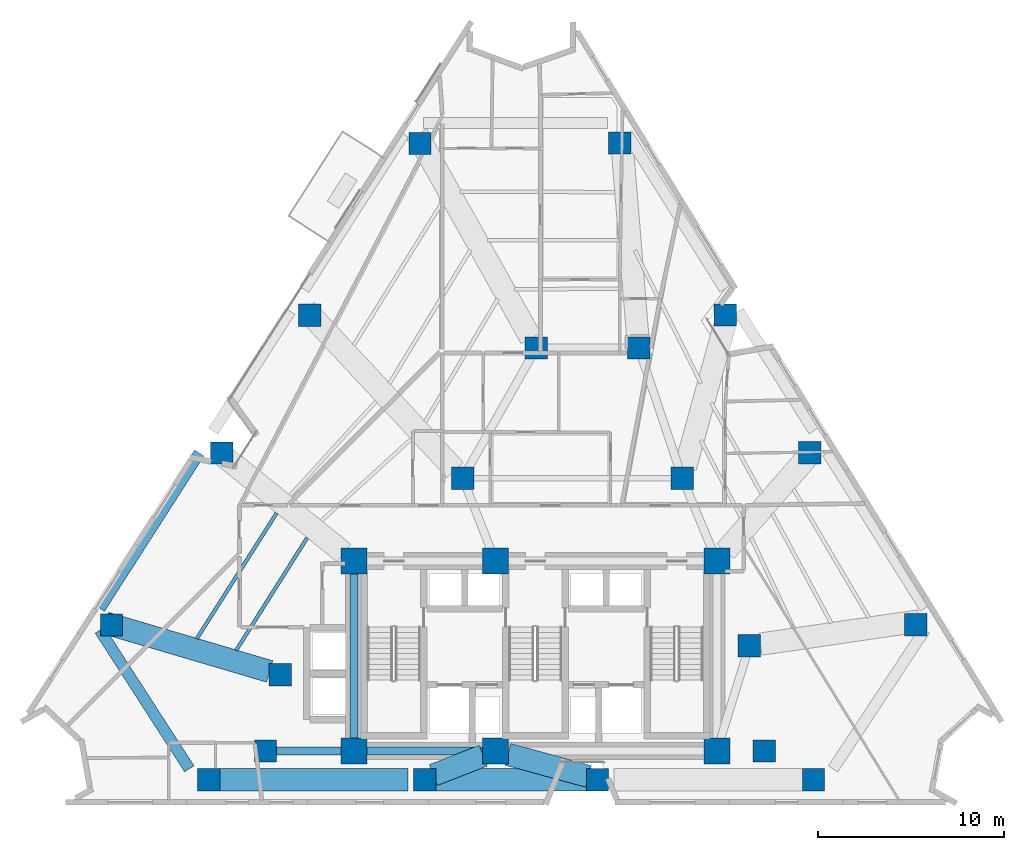
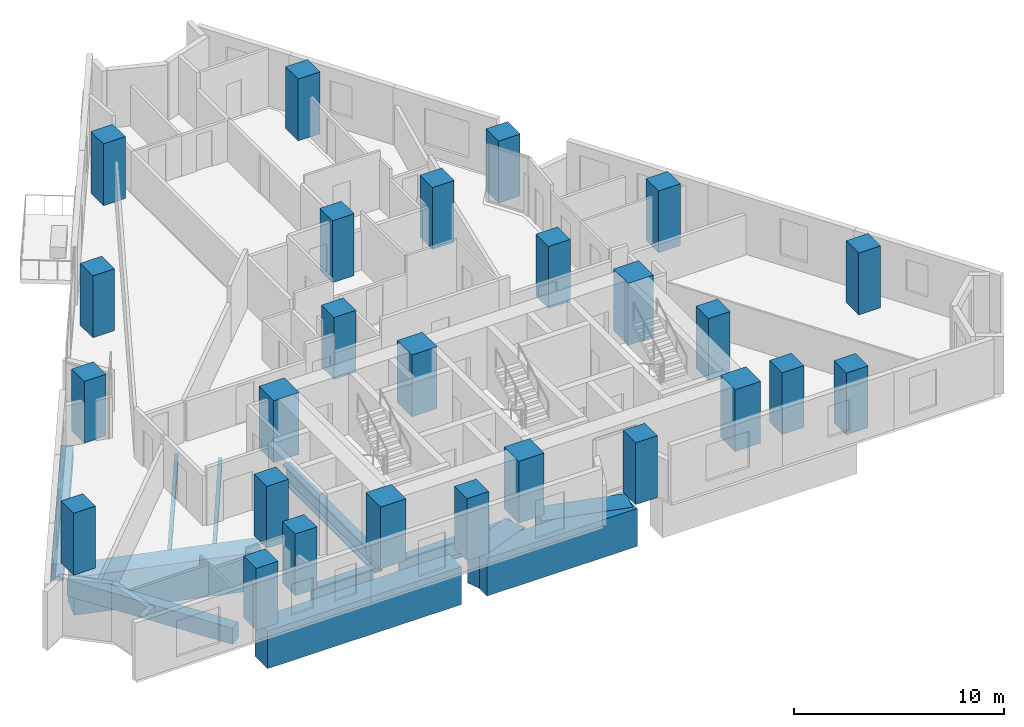
# One storey, part 1 of 13: 26 columns, 12 beams.
"""IFC4 building model written with IfcOpenShell, lengths in metres."""

from ifc_helpers import new_model, si_unit, direction, frame, origin, origin_2d, place, context, subcontext, project, spatial, rectangle, i_section, extrude, material, material_profile, profile_set, type_object, element, save


model = new_model("IFC4")

# Units and contexts
model_context = context("Model", 3, precision=1e-05, world=origin(), true_north=direction((0.0, 1.0)))
body_context = subcontext(model_context, "Body", "Model", "MODEL_VIEW")
ifc_project = project(units=[si_unit("LENGTHUNIT", "METRE"), si_unit("AREAUNIT", "SQUARE_METRE"), si_unit("VOLUMEUNIT", "CUBIC_METRE"), si_unit("PLANEANGLEUNIT", "RADIAN"), si_unit("MASSUNIT", "GRAM", prefix="KILO")], contexts=[model_context])

# Site, building, storey
site_placement = place(None, origin())
site = spatial("IfcSite", under=ifc_project, at=site_placement, CompositionType="ELEMENT")
building_placement = place(site_placement, origin())
building = spatial("IfcBuilding", under=site, at=building_placement, Name="Almagre Mirador Tower", CompositionType="ELEMENT")
storey_placement = place(building_placement, frame((0.0, 0.0, 75.0)))
storey = spatial("IfcBuildingStorey", under=building, at=storey_placement, Name="L18", CompositionType="ELEMENT", Elevation=75.0)

# Columns
ifc_material_1 = material(Name="Concrete C60/75", Category="concrete")
ifc_material_profile_1 = material_profile(ifc_material_1, rectangle(XDim=1.199951171875, YDim=1.199951171875, at=origin_2d()), Name="RC1200X1200")
ifc_profile_set_1 = profile_set([ifc_material_profile_1], Name="Concrete C60/75")
column_type_1 = type_object("IfcColumnType", Name="COL-RC1200", PredefinedType="COLUMN", material=ifc_profile_set_1)
for number, where, z_axis, x_axis, name in (
    (1, (22.800048828125, 4.550048828125, 0.0), (0.0, 0.0, 1.0), (1.0, 0.0, 0.0), "L18 interior transfer column MC1"),
    (2, (49.60009765625, 4.550048828125, 0.0), (0.0, 0.0, 1.0), (1.0, 0.0, 0.0), "L18 interior transfer column MC2"),
    (3, (48.800048828125, 10.199951171875, 0.0), (0.0, 0.0, 1.0), (1.0, 0.0, 0.0), "L18 interior transfer column MC3"),
    (4, (45.199951171875, 19.199951171875, 0.0), (0.0, 0.0, 1.0), (1.0, 0.0, 0.0), "L18 interior transfer column MC5"),
    (5, (42.85009765625, 26.199951171875, 0.0), (0.0, 0.0, 1.0), (1.0, 0.0, 0.0), "L18 interior transfer column MC6"),
    (6, (37.35009765625, 26.199951171875, 0.0), (0.0, 0.0, 1.0), (1.0, 0.0, 0.0), "L18 interior transfer column MC7"),
    (7, (33.39990234375, 19.199951171875, 0.0), (0.0, 0.0, 1.0), (1.0, 0.0, 0.0), "L18 interior transfer column MC8"),
    (8, (23.60009765625, 8.64990234375, 0.0), (0.0, 0.0, 1.0), (1.0, 0.0, 0.0), "L18 interior transfer column MC10"),
    (9, (19.760009765625, 3.0, 0.0), (0.0, 0.0, 1.0), (1.0, 0.0, 0.0), "L18 perimeter column PC01"),
    (10, (31.360107421875, 3.0, 0.0), (0.0, 0.0, 1.0), (1.0, 0.0, 0.0), "L18 perimeter column PC02"),
    (11, (40.639892578125, 3.0, 0.0), (0.0, 0.0, 1.0), (1.0, 0.0, 0.0), "L18 perimeter column PC03"),
    (12, (52.239990234375, 3.0, 0.0), (0.0, 0.0, 1.0), (1.0, 0.0, 0.0), "L18 perimeter column PC04"),
    (13, (57.72998046875, 11.3359375, 0.0), (0.0, 0.0, 1.0), (1.0, 0.0, 0.0), "L18 perimeter column PC05"),
    (14, (52.050048828125, 20.575927734375, 0.0), (0.0, 0.0, 1.0), (1.0, 0.0, 0.0), "L18 perimeter column PC06"),
    (15, (47.506103515625, 27.968017578125, 0.0), (0.0, 0.0, 1.0), (1.0, 0.0, 0.0), "L18 perimeter column PC07"),
    (16, (41.825927734375, 37.2080078125, 0.0), (0.0, 0.0, 1.0), (1.0, 0.0, 0.0), "L18 perimeter column PC08"),
    (17, (31.097900390625, 37.18896484375, 0.0), (0.0, 0.0, 1.0), (1.0, 0.0, 0.0), "L18 perimeter column PC09"),
    (18, (25.177978515625, 27.948974609375, 0.0), (0.0, 0.0, 1.0), (1.0, 0.0, 0.0), "L18 perimeter column PC10"),
    (19, (20.44189453125, 20.556884765625, 0.0), (0.0, 0.0, 1.0), (1.0, 0.0, 0.0), "L18 perimeter column PC11"),
    (20, (14.52197265625, 11.31689453125, 0.0), (0.0, 0.0, 1.0), (1.0, 0.0, 0.0), "L18 perimeter column PC12"),
):
    element("IfcColumn", number, at=place(storey_placement, frame(where, z_axis=z_axis, x_axis=x_axis)), inside=storey, type_object=column_type_1, Name=name, PredefinedType="COLUMN", context=body_context, shape_type="SweptSolid", body=[
        extrude(rectangle(XDim=1.199951171875, YDim=1.199951171875, at=origin_2d()), origin(), (0.0, 0.0, 1.0), 3.60009765625),
    ])
ifc_material_2 = material(Name="Concrete C60/75", Category="concrete")
ifc_material_profile_2 = material_profile(ifc_material_2, rectangle(XDim=1.39990234375, YDim=1.39990234375, at=origin_2d()), Name="RC1400X1400")
ifc_profile_set_2 = profile_set([ifc_material_profile_2], Name="Concrete C60/75")
column_type_2 = type_object("IfcColumnType", Name="COL-RC1400", PredefinedType="COLUMN", material=ifc_profile_set_2)
for number, where, z_axis, x_axis, name in (
    (21, (27.550048828125, 4.550048828125, 0.0), (0.0, 0.0, 1.0), (1.0, 0.0, 0.0), "L18 core spine column CC1"),
    (22, (35.14990234375, 4.550048828125, 0.0), (0.0, 0.0, 1.0), (1.0, 0.0, 0.0), "L18 core spine column CC2"),
    (23, (47.050048828125, 4.550048828125, 0.0), (0.0, 0.0, 1.0), (1.0, 0.0, 0.0), "L18 core spine column CC3"),
    (24, (27.550048828125, 14.75, 0.0), (0.0, 0.0, 1.0), (1.0, 0.0, 0.0), "L18 core spine column CC4"),
    (25, (35.14990234375, 14.75, 0.0), (0.0, 0.0, 1.0), (1.0, 0.0, 0.0), "L18 core spine column CC5"),
    (26, (47.050048828125, 14.75, 0.0), (0.0, 0.0, 1.0), (1.0, 0.0, 0.0), "L18 core spine column CC6"),
):
    element("IfcColumn", number, at=place(storey_placement, frame(where, z_axis=z_axis, x_axis=x_axis)), inside=storey, type_object=column_type_2, Name=name, PredefinedType="COLUMN", context=body_context, shape_type="SweptSolid", body=[
        extrude(rectangle(XDim=1.39990234375, YDim=1.39990234375, at=origin_2d()), origin(), (0.0, 0.0, 1.0), 3.60009765625),
    ])

# Beams
ifc_material_3 = material(Name="Steel ASTM A992 Grade 50", Category="steel")
ifc_material_profile_3 = material_profile(ifc_material_3, i_section(OverallWidth=0.19091796875, OverallDepth=0.4599609375, WebThickness=0.010009765625, FlangeThickness=0.01611328125, FilletRadius=0.01611328125, at=origin_2d()), Name="W18X55")
ifc_profile_set_3 = profile_set([ifc_material_profile_3], Name="Steel ASTM A992 Grade 50")
beam_type_1 = type_object("IfcBeamType", Name="BM-JST-W18X55", PredefinedType="JOIST", material=ifc_profile_set_3)
beam_1_placement = place(storey_placement, frame((23.39990234375, 17.330810546875, -0.47998046875), z_axis=(-0.53650432588, -0.843897569799, 0.0), x_axis=(0.843897569799, -0.53650432588, 0.0)))
element("IfcBeam", 27, at=beam_1_placement, inside=storey, type_object=beam_type_1, Name="L18 secondary floor joist PC11-PC12.2", PredefinedType="JOIST", context=body_context, shape_type="SweptSolid", body=[
    extrude(i_section(OverallWidth=0.19091796875, OverallDepth=0.4599609375, WebThickness=0.010009765625, FlangeThickness=0.01611328125, FilletRadius=0.01611328125, at=origin_2d()), origin(), (0.0, 0.0, 1.0), 8.002685546875),
])
beam_2_placement = place(storey_placement, frame((25.043212890625, 16.005859375, -0.47998046875), z_axis=(-0.533560396535, -0.845761966069, 0.0), x_axis=(0.845761966069, -0.533560396535, 0.0)))
element("IfcBeam", 28, at=beam_2_placement, inside=storey, type_object=beam_type_1, Name="L18 secondary floor joist PC11-PC12.3", PredefinedType="JOIST", context=body_context, shape_type="SweptSolid", body=[
    extrude(i_section(OverallWidth=0.19091796875, OverallDepth=0.4599609375, WebThickness=0.010009765625, FlangeThickness=0.01611328125, FilletRadius=0.01611328125, at=origin_2d()), origin(), (0.0, 0.0, 1.0), 7.15673828125),
])
ifc_material_4 = material(Name="Precast concrete C50/60", Category="concrete")
ifc_material_profile_4 = material_profile(ifc_material_4, rectangle(XDim=0.60009765625, YDim=0.949951171875, at=origin_2d()), Name="RC600X950")
ifc_profile_set_4 = profile_set([ifc_material_profile_4], Name="Precast concrete C50/60")
beam_type_2 = type_object("IfcBeamType", Name="BM-SPN-RC600X950", PredefinedType="SPANDREL", material=ifc_profile_set_4)
beam_3_placement = place(storey_placement, frame((19.2421875, 20.5556640625, -0.72509765625), z_axis=(-0.539486507438, -0.84199424481, 0.0), x_axis=(0.84199424481, -0.539486507438, 0.0)))
element("IfcBeam", 29, at=beam_3_placement, inside=storey, type_object=beam_type_2, Name="L18 perimeter spandrel beam PC11-PC12", PredefinedType="SPANDREL", context=body_context, shape_type="SweptSolid", body=[
    extrude(rectangle(XDim=0.60009765625, YDim=0.949951171875, at=origin_2d()), origin(), (0.0, 0.0, 1.0), 9.906494140625),
])
beam_4_placement = place(storey_placement, frame((13.899658203125, 11.036865234375, -0.72509765625), z_axis=(0.542362680712, -0.840144465298, 0.0), x_axis=(0.840144465298, 0.542362680712, 0.0)))
element("IfcBeam", 30, at=beam_4_placement, inside=storey, type_object=beam_type_2, Name="L18 perimeter spandrel beam PC12-PC01", PredefinedType="SPANDREL", context=body_context, shape_type="SweptSolid", body=[
    extrude(rectangle(XDim=0.60009765625, YDim=0.949951171875, at=origin_2d()), origin(), (0.0, 0.0, 1.0), 8.865966796875),
])
ifc_material_5 = material(Name="Steel ASTM A992 Grade 50", Category="steel")
ifc_material_profile_5 = material_profile(ifc_material_5, i_section(OverallWidth=0.43701171875, OverallDepth=1.010986328125, WebThickness=0.041015625, FlangeThickness=0.073974609375, FilletRadius=0.028076171875, at=origin_2d()), Name="W36X529")
ifc_profile_set_5 = profile_set([ifc_material_profile_5], Name="Steel ASTM A992 Grade 50")
beam_type_3 = type_object("IfcBeamType", Name="BM-STL-W36X529", PredefinedType="BEAM", material=ifc_profile_set_5)
beam_5_placement = place(storey_placement, frame((28.25, 4.550048828125, -0.755615234375), z_axis=(1.0, 0.0, 0.0), x_axis=(0.0, 1.0, 0.0)))
element("IfcBeam", 31, at=beam_5_placement, inside=storey, type_object=beam_type_3, Name="L18 core tie girder CC1-CC2", PredefinedType="BEAM", context=body_context, shape_type="SweptSolid", body=[
    extrude(i_section(OverallWidth=0.43701171875, OverallDepth=1.010986328125, WebThickness=0.041015625, FlangeThickness=0.073974609375, FilletRadius=0.028076171875, at=origin_2d()), origin(), (0.0, 0.0, 1.0), 6.199951171875),
])
beam_6_placement = place(storey_placement, frame((27.550048828125, 5.25, -0.755615234375), z_axis=(0.0, 1.0, 0.0), x_axis=(-1.0, 0.0, 0.0)))
element("IfcBeam", 32, at=beam_6_placement, inside=storey, type_object=beam_type_3, Name="L18 core tie girder CC1-CC4", PredefinedType="BEAM", context=body_context, shape_type="SweptSolid", body=[
    extrude(i_section(OverallWidth=0.43701171875, OverallDepth=1.010986328125, WebThickness=0.041015625, FlangeThickness=0.073974609375, FilletRadius=0.028076171875, at=origin_2d()), origin(), (0.0, 0.0, 1.0), 8.800048828125),
])
beam_7_placement = place(storey_placement, frame((23.39990234375, 4.550048828125, -0.755615234375), z_axis=(1.0, 0.0, 0.0), x_axis=(0.0, 1.0, 0.0)))
element("IfcBeam", 33, at=beam_7_placement, inside=storey, type_object=beam_type_3, Name="L18 core tie girder MC1-CC1", PredefinedType="BEAM", context=body_context, shape_type="SweptSolid", body=[
    extrude(i_section(OverallWidth=0.43701171875, OverallDepth=1.010986328125, WebThickness=0.041015625, FlangeThickness=0.073974609375, FilletRadius=0.028076171875, at=origin_2d()), origin(), (0.0, 0.0, 1.0), 3.4501953125),
])
ifc_material_6 = material(Name="Concrete C60/75", Category="concrete")
ifc_material_profile_6 = material_profile(ifc_material_6, rectangle(XDim=1.199951171875, YDim=2.199951171875, at=origin_2d()), Name="RC1200X2200")
ifc_profile_set_6 = profile_set([ifc_material_profile_6], Name="Concrete C60/75")
beam_type_4 = type_object("IfcBeamType", Name="BM-XFER-RC1200X2200", PredefinedType="BEAM", material=ifc_profile_set_6)
beam_8_placement = place(storey_placement, frame((19.7880859375, 3.0, -1.35009765625), z_axis=(1.0, 0.0, 0.0), x_axis=(0.0, 1.0, 0.0)))
element("IfcBeam", 34, at=beam_8_placement, inside=storey, type_object=beam_type_4, Name="L18 perimeter spandrel beam PC01-PC02", PredefinedType="BEAM", context=body_context, shape_type="SweptSolid", body=[
    extrude(rectangle(XDim=1.199951171875, YDim=2.199951171875, at=origin_2d()), origin(), (0.0, 0.0, 1.0), 10.679931640625),
])
beam_9_placement = place(storey_placement, frame((31.867919921875, 3.0, -1.35009765625), z_axis=(1.0, 0.0, 0.0), x_axis=(0.0, 1.0, 0.0)))
element("IfcBeam", 35, at=beam_9_placement, inside=storey, type_object=beam_type_4, Name="L18 perimeter spandrel beam PC02-PC03", PredefinedType="BEAM", context=body_context, shape_type="SweptSolid", body=[
    extrude(rectangle(XDim=1.199951171875, YDim=2.199951171875, at=origin_2d()), origin(), (0.0, 0.0, 1.0), 8.26416015625),
])
beam_10_placement = place(storey_placement, frame((31.8203125, 3.25390625, -1.35009765625), z_axis=(0.931888214073, 0.362745580913, 0.0), x_axis=(-0.362745580913, 0.931888214073, 0.0)))
element("IfcBeam", 36, at=beam_10_placement, inside=storey, type_object=beam_type_4, Name="L18 radial transfer girder PC02-CC2", PredefinedType="BEAM", context=body_context, shape_type="SweptSolid", body=[
    extrude(rectangle(XDim=1.199951171875, YDim=2.199951171875, at=origin_2d()), origin(), (0.0, 0.0, 1.0), 2.873291015625),
])
beam_11_placement = place(storey_placement, frame((40.15673828125, 3.18408203125, -1.35009765625), z_axis=(-0.964746251324, 0.263181820336, 0.0), x_axis=(-0.263181820336, -0.964746251324, 0.0)))
element("IfcBeam", 37, at=beam_11_placement, inside=storey, type_object=beam_type_4, Name="L18 radial transfer girder PC03-CC2", PredefinedType="BEAM", context=body_context, shape_type="SweptSolid", body=[
    extrude(rectangle(XDim=1.199951171875, YDim=2.199951171875, at=origin_2d()), origin(), (0.0, 0.0, 1.0), 4.48974609375),
])
beam_12_placement = place(storey_placement, frame((14.19140625, 11.427001953125, -1.35009765625), z_axis=(0.95909363652, -0.28308902555, 0.0), x_axis=(0.28308902555, 0.95909363652, 0.0)))
element("IfcBeam", 38, at=beam_12_placement, inside=storey, type_object=beam_type_4, Name="L18 radial transfer girder PC12-MC10", PredefinedType="BEAM", context=body_context, shape_type="SweptSolid", body=[
    extrude(rectangle(XDim=1.199951171875, YDim=2.199951171875, at=origin_2d()), origin(), (0.0, 0.0, 1.0), 9.209716796875),
])

save(model, "model.ifc")
